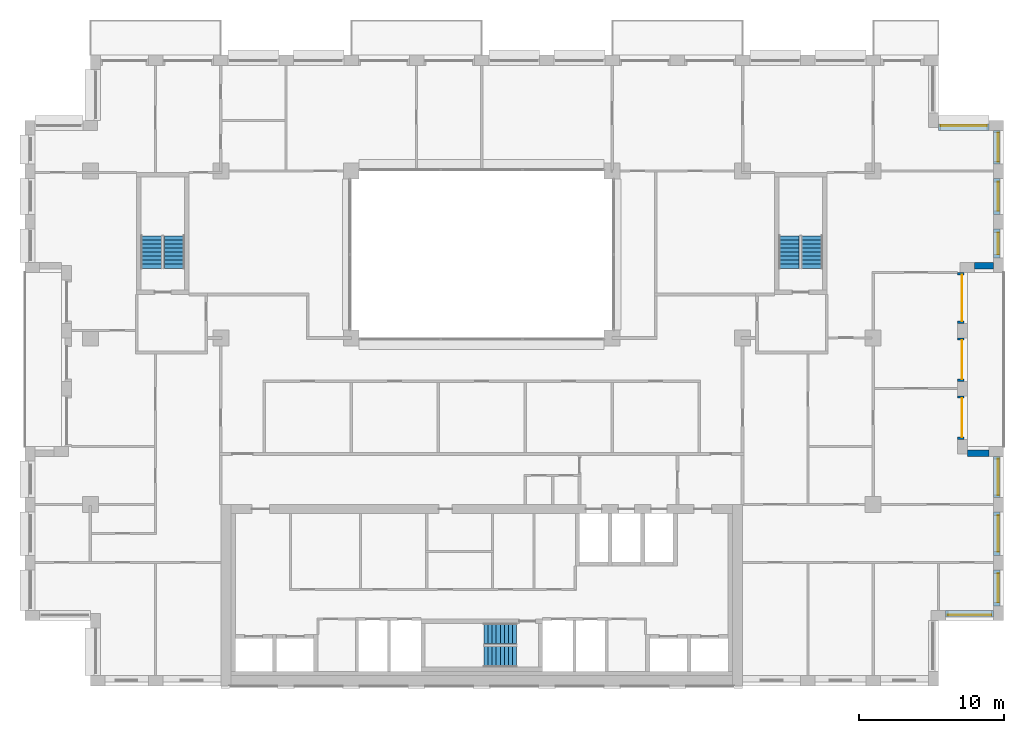
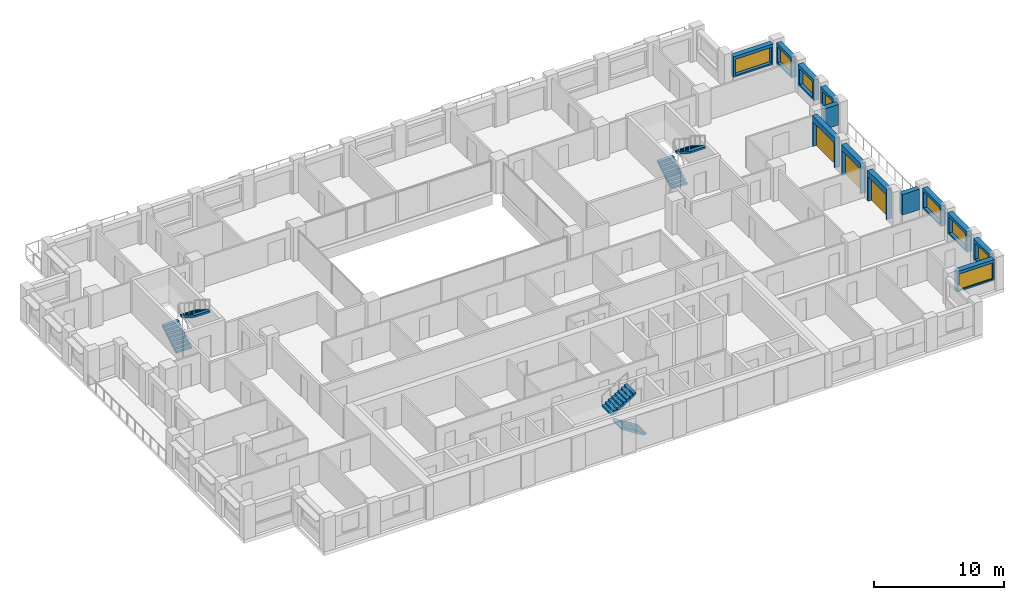
# One storey, part 14 of 15: 13 walls, 8 windows, 6 stair flights, 3 doors, 11 openings, 3 elements without a shape of their own.
"""IFC4 building model written with IfcOpenShell, lengths in metres."""

from ifc_helpers import new_model, si_unit, direction, frame, frame_2d, origin, place, context, subcontext, project, spatial, polyline, rectangle, outline, extrude, material, layer, layer_set, type_object, element, fill, aggregate, save


model = new_model("IFC4")

# Units and contexts
model_context = context("Model", 3, precision=1e-05, world=origin(), true_north=direction((0.0, 1.0)))
body_context = subcontext(model_context, "Body", "Model", "MODEL_VIEW")
ifc_project = project(units=[si_unit("LENGTHUNIT", "METRE"), si_unit("AREAUNIT", "SQUARE_METRE"), si_unit("VOLUMEUNIT", "CUBIC_METRE"), si_unit("PLANEANGLEUNIT", "RADIAN"), si_unit("MASSUNIT", "GRAM", prefix="KILO")], contexts=[model_context])

# Site, building, storey
site_placement = place(None, origin())
site = spatial("IfcSite", under=ifc_project, at=site_placement, CompositionType="ELEMENT")
building_placement = place(site_placement, origin())
building = spatial("IfcBuilding", under=site, at=building_placement, Name="Brigalow Station Residences", CompositionType="ELEMENT")
storey_placement = place(building_placement, frame((0.0, 0.0, 144.449951171875)))
storey = spatial("IfcBuildingStorey", under=building, at=storey_placement, Name="L41", CompositionType="ELEMENT", Elevation=144.449951171875)

# Wall, opening, window
ifc_material_1 = material(Name="Clay brick masonry", Category="masonry")
ifc_layer = layer(ifc_material_1, 0.449951171875)
ifc_layer_set = layer_set([ifc_layer], Name="BRICK INFILL WALL 450")
wall_type = type_object("IfcWallType", Name="BRICK INFILL WALL 450", PredefinedType="SOLIDWALL", material=ifc_layer_set)
wall_1_placement = place(storey_placement, frame((68.0, 4.97509765625, 0.900146484375), z_axis=(0.0, 0.0, 1.0), x_axis=(1.0, 0.0, 0.0)))
wall_1 = element("IfcWall", 1, at=wall_1_placement, inside=storey, type_object=wall_type, Name="L41/ewall/W-L41-8", PredefinedType="SOLIDWALL", context=body_context, shape_type="SweptSolid", body=[
    extrude(rectangle(XDim=3.300048828125, YDim=0.449951171875, at=frame_2d((1.64990234375, 0.0))), origin(), (0.0, 0.0, 1.0), 1.929931640625),
])
opening_1_placement = place(wall_1_placement, frame((0.14990234375, 0.0, 0.14990234375)))
opening_1 = element("IfcOpeningElement", 2, at=opening_1_placement, cuts=wall_1, Name="Opening WT-2", PredefinedType="OPENING", context=body_context, shape_type="SweptSolid", body=[
    extrude(rectangle(XDim=3.0, YDim=1.5, at=frame_2d((1.5, 0.75))), frame((0.0, 0.23486328125, 0.0), z_axis=(0.0, -1.0, 0.0), x_axis=(1.0, 0.0, 0.0)), (0.0, 0.0, 1.0), 0.469970703125),
])
ifc_material_2 = material(Name="Anodised aluminium frame with double glazing", Category="aluminium")
window_type_1 = type_object("IfcWindowType", Name="WINDOW 3000x1500", PartitioningType="SINGLE_PANEL", PredefinedType="WINDOW", material=ifc_material_2)
window_1_placement = place(opening_1_placement, origin())
window_1 = element("IfcWindow", 3, at=window_1_placement, inside=storey, type_object=window_type_1, Name="L41/window/W-L41-8", OverallHeight=1.5, OverallWidth=3.0, PartitioningType="SINGLE_PANEL", PredefinedType="WINDOW", context=body_context, shape_type="SweptSolid", body=[
    extrude(rectangle(XDim=3.0, YDim=1.5, at=frame_2d((1.5, 0.75))), frame((0.0, -0.06494140625, 0.0), z_axis=(0.0, -1.0, 0.0), x_axis=(1.0, 0.0, 0.0)), (0.0, 0.0, 1.0), 0.06005859375),
])
fill(opening_1, window_1)

wall_2_placement = place(storey_placement, frame((71.52490234375, 5.5, 0.900146484375), z_axis=(0.0, 0.0, 1.0), x_axis=(0.0, 1.0, 0.0)))
wall_2 = element("IfcWall", 4, at=wall_2_placement, inside=storey, type_object=wall_type, Name="L41/ewall/W-L41-9", PredefinedType="SOLIDWALL", context=body_context, shape_type="SweptSolid", body=[
    extrude(rectangle(XDim=2.5, YDim=0.449951171875, at=frame_2d((1.25, 0.0))), origin(), (0.0, 0.0, 1.0), 1.929931640625),
])
opening_2_placement = place(wall_2_placement, frame((0.25, 0.0, 0.14990234375)))
opening_2 = element("IfcOpeningElement", 5, at=opening_2_placement, cuts=wall_2, Name="Opening WT-7", PredefinedType="OPENING", context=body_context, shape_type="SweptSolid", body=[
    extrude(rectangle(XDim=2.0, YDim=1.5, at=frame_2d((1.0, 0.75))), frame((0.0, 0.23486328125, 0.0), z_axis=(0.0, -1.0, 0.0), x_axis=(1.0, 0.0, 0.0)), (0.0, 0.0, 1.0), 0.469970703125),
])
ifc_material_3 = material(Name="Anodised aluminium frame with double glazing", Category="aluminium")
window_type_2 = type_object("IfcWindowType", Name="WINDOW 2000x1500", PartitioningType="SINGLE_PANEL", PredefinedType="WINDOW", material=ifc_material_3)
window_2_placement = place(opening_2_placement, origin())
window_2 = element("IfcWindow", 6, at=window_2_placement, inside=storey, type_object=window_type_2, Name="L41/window/W-L41-9", OverallHeight=1.5, OverallWidth=2.0, PartitioningType="SINGLE_PANEL", PredefinedType="WINDOW", context=body_context, shape_type="SweptSolid", body=[
    extrude(rectangle(XDim=2.0, YDim=1.5, at=frame_2d((1.0, 0.75))), frame((0.0, -0.06494140625, 0.0), z_axis=(0.0, -1.0, 0.0), x_axis=(1.0, 0.0, 0.0)), (0.0, 0.0, 1.0), 0.06005859375),
])
fill(opening_2, window_2)

wall_3_placement = place(storey_placement, frame((71.52490234375, 9.0, 0.900146484375), z_axis=(0.0, 0.0, 1.0), x_axis=(0.0, 1.0, 0.0)))
wall_3 = element("IfcWall", 7, at=wall_3_placement, inside=storey, type_object=wall_type, Name="L41/ewall/W-L41-10", PredefinedType="SOLIDWALL", context=body_context, shape_type="SweptSolid", body=[
    extrude(rectangle(XDim=3.0, YDim=0.449951171875, at=frame_2d((1.5, 0.0))), origin(), (0.0, 0.0, 1.0), 1.929931640625),
])
opening_3_placement = place(wall_3_placement, frame((0.25, 0.0, 0.14990234375)))
opening_3 = element("IfcOpeningElement", 8, at=opening_3_placement, cuts=wall_3, Name="Opening WT-5", PredefinedType="OPENING", context=body_context, shape_type="SweptSolid", body=[
    extrude(rectangle(XDim=2.5, YDim=1.5, at=frame_2d((1.25, 0.75))), frame((0.0, 0.23486328125, 0.0), z_axis=(0.0, -1.0, 0.0), x_axis=(1.0, 0.0, 0.0)), (0.0, 0.0, 1.0), 0.469970703125),
])
ifc_material_4 = material(Name="Anodised aluminium frame with double glazing", Category="aluminium")
window_type_3 = type_object("IfcWindowType", Name="WINDOW 2500x1500", PartitioningType="SINGLE_PANEL", PredefinedType="WINDOW", material=ifc_material_4)
window_3_placement = place(opening_3_placement, origin())
window_3 = element("IfcWindow", 9, at=window_3_placement, inside=storey, type_object=window_type_3, Name="L41/window/W-L41-10", OverallHeight=1.5, OverallWidth=2.5, PartitioningType="SINGLE_PANEL", PredefinedType="WINDOW", context=body_context, shape_type="SweptSolid", body=[
    extrude(rectangle(XDim=2.5, YDim=1.5, at=frame_2d((1.25, 0.75))), frame((0.0, -0.06494140625, 0.0), z_axis=(0.0, -1.0, 0.0), x_axis=(1.0, 0.0, 0.0)), (0.0, 0.0, 1.0), 0.06005859375),
])
fill(opening_3, window_3)

wall_4_placement = place(storey_placement, frame((71.52490234375, 13.0, 0.900146484375), z_axis=(0.0, 0.0, 1.0), x_axis=(0.0, 1.0, 0.0)))
wall_4 = element("IfcWall", 10, at=wall_4_placement, inside=storey, type_object=wall_type, Name="L41/ewall/W-L41-11", PredefinedType="SOLIDWALL", context=body_context, shape_type="SweptSolid", body=[
    extrude(rectangle(XDim=2.800048828125, YDim=0.449951171875, at=frame_2d((1.39990234375, 0.0))), origin(), (0.0, 0.0, 1.0), 1.929931640625),
])
opening_4_placement = place(wall_4_placement, frame((0.14990234375, 0.0, 0.14990234375)))
opening_4 = element("IfcOpeningElement", 11, at=opening_4_placement, cuts=wall_4, Name="Opening WT-5", PredefinedType="OPENING", context=body_context, shape_type="SweptSolid", body=[
    extrude(rectangle(XDim=2.5, YDim=1.5, at=frame_2d((1.25, 0.75))), frame((0.0, 0.23486328125, 0.0), z_axis=(0.0, -1.0, 0.0), x_axis=(1.0, 0.0, 0.0)), (0.0, 0.0, 1.0), 0.469970703125),
])
window_4_placement = place(opening_4_placement, origin())
window_4 = element("IfcWindow", 12, at=window_4_placement, inside=storey, type_object=window_type_3, Name="L41/window/W-L41-11", OverallHeight=1.5, OverallWidth=2.5, PartitioningType="SINGLE_PANEL", PredefinedType="WINDOW", context=body_context, shape_type="SweptSolid", body=[
    extrude(rectangle(XDim=2.5, YDim=1.5, at=frame_2d((1.25, 0.75))), frame((0.0, -0.06494140625, 0.0), z_axis=(0.0, -1.0, 0.0), x_axis=(1.0, 0.0, 0.0)), (0.0, 0.0, 1.0), 0.06005859375),
])
fill(opening_4, window_4)

# Wall
wall_5_placement = place(storey_placement, frame((71.0, 16.02490234375, 0.900146484375), z_axis=(0.0, 0.0, 1.0), x_axis=(-1.0, 0.0, 0.0)))
element("IfcWall", 13, at=wall_5_placement, inside=storey, type_object=wall_type, Name="L41/ewall/W-L41-12", PredefinedType="SOLIDWALL", context=body_context, shape_type="SweptSolid", body=[
    extrude(rectangle(XDim=1.5, YDim=0.449951171875, at=frame_2d((0.75, 0.0))), origin(), (0.0, 0.0, 1.0), 1.929931640625),
])

# Wall, opening, door
wall_6_placement = place(storey_placement, frame((69.02490234375, 17.0, 0.0), z_axis=(0.0, 0.0, 1.0), x_axis=(0.0, 1.0, 0.0)))
wall_6 = element("IfcWall", 14, at=wall_6_placement, inside=storey, type_object=wall_type, Name="L41/ewall/W-L41-13", PredefinedType="SOLIDWALL", context=body_context, shape_type="SweptSolid", body=[
    extrude(rectangle(XDim=3.0, YDim=0.449951171875, at=frame_2d((1.5, 0.0))), origin(), (0.0, 0.0, 1.0), 2.830078125),
])
opening_5_placement = place(wall_6_placement, frame((0.14990234375, 0.0, 0.0)))
opening_5 = element("IfcOpeningElement", 15, at=opening_5_placement, cuts=wall_6, Name="Opening D-B2700", PredefinedType="OPENING", context=body_context, shape_type="SweptSolid", body=[
    extrude(rectangle(XDim=2.699951171875, YDim=2.300048828125, at=frame_2d((1.35009765625, 1.14990234375))), frame((0.0, 0.23486328125, 0.0), z_axis=(0.0, -1.0, 0.0), x_axis=(1.0, 0.0, 0.0)), (0.0, 0.0, 1.0), 0.469970703125),
])
ifc_material_5 = material(Name="Anodised aluminium frame with double glazing", Category="aluminium")
door_type_1 = type_object("IfcDoorType", Name="BALCONY SLIDING DOOR 2700x2300", OperationType="SLIDING_TO_LEFT", PredefinedType="DOOR", material=ifc_material_5)
door_1_placement = place(opening_5_placement, origin())
door_1 = element("IfcDoor", 16, at=door_1_placement, inside=storey, type_object=door_type_1, Name="L41/balcony-door/W-L41-13", OperationType="SLIDING_TO_LEFT", OverallHeight=2.300048828125, OverallWidth=2.699951171875, PredefinedType="DOOR", context=body_context, shape_type="SweptSolid", body=[
    extrude(rectangle(XDim=2.699951171875, YDim=2.300048828125, at=frame_2d((1.35009765625, 1.14990234375))), frame((0.0, -0.06982421875, 0.0), z_axis=(0.0, -1.0, 0.0), x_axis=(1.0, 0.0, 0.0)), (0.0, 0.0, 1.0), 0.050048828125),
])
fill(opening_5, door_1)

wall_7_placement = place(storey_placement, frame((69.02490234375, 21.0, 0.0), z_axis=(0.0, 0.0, 1.0), x_axis=(0.0, 1.0, 0.0)))
wall_7 = element("IfcWall", 17, at=wall_7_placement, inside=storey, type_object=wall_type, Name="L41/ewall/W-L41-14", PredefinedType="SOLIDWALL", context=body_context, shape_type="SweptSolid", body=[
    extrude(rectangle(XDim=3.0, YDim=0.449951171875, at=frame_2d((1.5, 0.0))), origin(), (0.0, 0.0, 1.0), 2.830078125),
])
opening_6_placement = place(wall_7_placement, frame((0.14990234375, 0.0, 0.0)))
opening_6 = element("IfcOpeningElement", 18, at=opening_6_placement, cuts=wall_7, Name="Opening D-B2700", PredefinedType="OPENING", context=body_context, shape_type="SweptSolid", body=[
    extrude(rectangle(XDim=2.699951171875, YDim=2.300048828125, at=frame_2d((1.35009765625, 1.14990234375))), frame((0.0, 0.23486328125, 0.0), z_axis=(0.0, -1.0, 0.0), x_axis=(1.0, 0.0, 0.0)), (0.0, 0.0, 1.0), 0.469970703125),
])
door_2_placement = place(opening_6_placement, origin())
door_2 = element("IfcDoor", 19, at=door_2_placement, inside=storey, type_object=door_type_1, Name="L41/balcony-door/W-L41-14", OperationType="SLIDING_TO_LEFT", OverallHeight=2.300048828125, OverallWidth=2.699951171875, PredefinedType="DOOR", context=body_context, shape_type="SweptSolid", body=[
    extrude(rectangle(XDim=2.699951171875, YDim=2.300048828125, at=frame_2d((1.35009765625, 1.14990234375))), frame((0.0, -0.06982421875, 0.0), z_axis=(0.0, -1.0, 0.0), x_axis=(1.0, 0.0, 0.0)), (0.0, 0.0, 1.0), 0.050048828125),
])
fill(opening_6, door_2)

wall_8_placement = place(storey_placement, frame((69.02490234375, 25.0, 0.0), z_axis=(0.0, 0.0, 1.0), x_axis=(0.0, 1.0, 0.0)))
wall_8 = element("IfcWall", 20, at=wall_8_placement, inside=storey, type_object=wall_type, Name="L41/ewall/W-L41-15", PredefinedType="SOLIDWALL", context=body_context, shape_type="SweptSolid", body=[
    extrude(rectangle(XDim=3.5, YDim=0.449951171875, at=frame_2d((1.75, 0.0))), origin(), (0.0, 0.0, 1.0), 2.830078125),
])
opening_7_placement = place(wall_8_placement, frame((0.14990234375, 0.0, 0.0)))
opening_7 = element("IfcOpeningElement", 21, at=opening_7_placement, cuts=wall_8, Name="Opening D-B3200", PredefinedType="OPENING", context=body_context, shape_type="SweptSolid", body=[
    extrude(rectangle(XDim=3.199951171875, YDim=2.300048828125, at=frame_2d((1.60009765625, 1.14990234375))), frame((0.0, 0.23486328125, 0.0), z_axis=(0.0, -1.0, 0.0), x_axis=(1.0, 0.0, 0.0)), (0.0, 0.0, 1.0), 0.469970703125),
])
ifc_material_6 = material(Name="Anodised aluminium frame with double glazing", Category="aluminium")
door_type_2 = type_object("IfcDoorType", Name="BALCONY SLIDING DOOR 3200x2300", OperationType="SLIDING_TO_LEFT", PredefinedType="DOOR", material=ifc_material_6)
door_3_placement = place(opening_7_placement, origin())
door_3 = element("IfcDoor", 22, at=door_3_placement, inside=storey, type_object=door_type_2, Name="L41/balcony-door/W-L41-15", OperationType="SLIDING_TO_LEFT", OverallHeight=2.300048828125, OverallWidth=3.199951171875, PredefinedType="DOOR", context=body_context, shape_type="SweptSolid", body=[
    extrude(rectangle(XDim=3.199951171875, YDim=2.300048828125, at=frame_2d((1.60009765625, 1.14990234375))), frame((0.0, -0.06982421875, 0.0), z_axis=(0.0, -1.0, 0.0), x_axis=(1.0, 0.0, 0.0)), (0.0, 0.0, 1.0), 0.050048828125),
])
fill(opening_7, door_3)

# Wall
wall_9_placement = place(storey_placement, frame((70.0, 28.97509765625, 0.900146484375), z_axis=(0.0, 0.0, 1.0), x_axis=(1.0, 0.0, 0.0)))
element("IfcWall", 23, at=wall_9_placement, inside=storey, type_object=wall_type, Name="L41/ewall/W-L41-16", PredefinedType="SOLIDWALL", context=body_context, shape_type="SweptSolid", body=[
    extrude(rectangle(XDim=1.300048828125, YDim=0.449951171875, at=frame_2d((0.64990234375, 0.0))), origin(), (0.0, 0.0, 1.0), 1.929931640625),
])

# Wall, opening, window
wall_10_placement = place(storey_placement, frame((71.52490234375, 29.5, 0.900146484375), z_axis=(0.0, 0.0, 1.0), x_axis=(0.0, 1.0, 0.0)))
wall_10 = element("IfcWall", 24, at=wall_10_placement, inside=storey, type_object=wall_type, Name="L41/ewall/W-L41-17", PredefinedType="SOLIDWALL", context=body_context, shape_type="SweptSolid", body=[
    extrude(rectangle(XDim=2.0, YDim=0.449951171875, at=frame_2d((1.0, 0.0))), origin(), (0.0, 0.0, 1.0), 1.929931640625),
])
opening_8_placement = place(wall_10_placement, frame((0.25, 0.0, 0.14990234375)))
opening_8 = element("IfcOpeningElement", 25, at=opening_8_placement, cuts=wall_10, Name="Opening WT-1", PredefinedType="OPENING", context=body_context, shape_type="SweptSolid", body=[
    extrude(rectangle(XDim=1.5, YDim=1.5, at=frame_2d((0.75, 0.75))), frame((0.0, 0.23486328125, 0.0), z_axis=(0.0, -1.0, 0.0), x_axis=(1.0, 0.0, 0.0)), (0.0, 0.0, 1.0), 0.469970703125),
])
ifc_material_7 = material(Name="Anodised aluminium frame with double glazing", Category="aluminium")
window_type_4 = type_object("IfcWindowType", Name="WINDOW 1500x1500", PartitioningType="SINGLE_PANEL", PredefinedType="WINDOW", material=ifc_material_7)
window_5_placement = place(opening_8_placement, origin())
window_5 = element("IfcWindow", 26, at=window_5_placement, inside=storey, type_object=window_type_4, Name="L41/window/W-L41-17", OverallHeight=1.5, OverallWidth=1.5, PartitioningType="SINGLE_PANEL", PredefinedType="WINDOW", context=body_context, shape_type="SweptSolid", body=[
    extrude(rectangle(XDim=1.5, YDim=1.5, at=frame_2d((0.75, 0.75))), frame((0.0, -0.06494140625, 0.0), z_axis=(0.0, -1.0, 0.0), x_axis=(1.0, 0.0, 0.0)), (0.0, 0.0, 1.0), 0.06005859375),
])
fill(opening_8, window_5)

wall_11_placement = place(storey_placement, frame((71.52490234375, 32.5, 0.900146484375), z_axis=(0.0, 0.0, 1.0), x_axis=(0.0, 1.0, 0.0)))
wall_11 = element("IfcWall", 27, at=wall_11_placement, inside=storey, type_object=wall_type, Name="L41/ewall/W-L41-18", PredefinedType="SOLIDWALL", context=body_context, shape_type="SweptSolid", body=[
    extrude(rectangle(XDim=2.5, YDim=0.449951171875, at=frame_2d((1.25, 0.0))), origin(), (0.0, 0.0, 1.0), 1.929931640625),
])
opening_9_placement = place(wall_11_placement, frame((0.25, 0.0, 0.14990234375)))
opening_9 = element("IfcOpeningElement", 28, at=opening_9_placement, cuts=wall_11, Name="Opening WT-7", PredefinedType="OPENING", context=body_context, shape_type="SweptSolid", body=[
    extrude(rectangle(XDim=2.0, YDim=1.5, at=frame_2d((1.0, 0.75))), frame((0.0, 0.23486328125, 0.0), z_axis=(0.0, -1.0, 0.0), x_axis=(1.0, 0.0, 0.0)), (0.0, 0.0, 1.0), 0.469970703125),
])
window_6_placement = place(opening_9_placement, origin())
window_6 = element("IfcWindow", 29, at=window_6_placement, inside=storey, type_object=window_type_2, Name="L41/window/W-L41-18", OverallHeight=1.5, OverallWidth=2.0, PartitioningType="SINGLE_PANEL", PredefinedType="WINDOW", context=body_context, shape_type="SweptSolid", body=[
    extrude(rectangle(XDim=2.0, YDim=1.5, at=frame_2d((1.0, 0.75))), frame((0.0, -0.06494140625, 0.0), z_axis=(0.0, -1.0, 0.0), x_axis=(1.0, 0.0, 0.0)), (0.0, 0.0, 1.0), 0.06005859375),
])
fill(opening_9, window_6)

wall_12_placement = place(storey_placement, frame((71.52490234375, 36.0, 0.900146484375), z_axis=(0.0, 0.0, 1.0), x_axis=(0.0, 1.0, 0.0)))
wall_12 = element("IfcWall", 30, at=wall_12_placement, inside=storey, type_object=wall_type, Name="L41/ewall/W-L41-19", PredefinedType="SOLIDWALL", context=body_context, shape_type="SweptSolid", body=[
    extrude(rectangle(XDim=2.300048828125, YDim=0.449951171875, at=frame_2d((1.14990234375, 0.0))), origin(), (0.0, 0.0, 1.0), 1.929931640625),
])
opening_10_placement = place(wall_12_placement, frame((0.14990234375, 0.0, 0.14990234375)))
opening_10 = element("IfcOpeningElement", 31, at=opening_10_placement, cuts=wall_12, Name="Opening WT-7", PredefinedType="OPENING", context=body_context, shape_type="SweptSolid", body=[
    extrude(rectangle(XDim=2.0, YDim=1.5, at=frame_2d((1.0, 0.75))), frame((0.0, 0.23486328125, 0.0), z_axis=(0.0, -1.0, 0.0), x_axis=(1.0, 0.0, 0.0)), (0.0, 0.0, 1.0), 0.469970703125),
])
window_7_placement = place(opening_10_placement, origin())
window_7 = element("IfcWindow", 32, at=window_7_placement, inside=storey, type_object=window_type_2, Name="L41/window/W-L41-19", OverallHeight=1.5, OverallWidth=2.0, PartitioningType="SINGLE_PANEL", PredefinedType="WINDOW", context=body_context, shape_type="SweptSolid", body=[
    extrude(rectangle(XDim=2.0, YDim=1.5, at=frame_2d((1.0, 0.75))), frame((0.0, -0.06494140625, 0.0), z_axis=(0.0, -1.0, 0.0), x_axis=(1.0, 0.0, 0.0)), (0.0, 0.0, 1.0), 0.06005859375),
])
fill(opening_10, window_7)

wall_13_placement = place(storey_placement, frame((71.0, 38.52490234375, 0.900146484375), z_axis=(0.0, 0.0, 1.0), x_axis=(-1.0, 0.0, 0.0)))
wall_13 = element("IfcWall", 33, at=wall_13_placement, inside=storey, type_object=wall_type, Name="L41/ewall/W-L41-20", PredefinedType="SOLIDWALL", context=body_context, shape_type="SweptSolid", body=[
    extrude(rectangle(XDim=3.5, YDim=0.449951171875, at=frame_2d((1.75, 0.0))), origin(), (0.0, 0.0, 1.0), 1.929931640625),
])
opening_11_placement = place(wall_13_placement, frame((0.14990234375, 0.0, 0.14990234375)))
opening_11 = element("IfcOpeningElement", 34, at=opening_11_placement, cuts=wall_13, Name="Opening WT-9", PredefinedType="OPENING", context=body_context, shape_type="SweptSolid", body=[
    extrude(rectangle(XDim=3.199951171875, YDim=1.5, at=frame_2d((1.60009765625, 0.75))), frame((0.0, 0.23486328125, 0.0), z_axis=(0.0, -1.0, 0.0), x_axis=(1.0, 0.0, 0.0)), (0.0, 0.0, 1.0), 0.469970703125),
])
ifc_material_8 = material(Name="Anodised aluminium frame with double glazing", Category="aluminium")
window_type_5 = type_object("IfcWindowType", Name="WINDOW 3200x1500", PartitioningType="SINGLE_PANEL", PredefinedType="WINDOW", material=ifc_material_8)
window_8_placement = place(opening_11_placement, origin())
window_8 = element("IfcWindow", 35, at=window_8_placement, inside=storey, type_object=window_type_5, Name="L41/window/W-L41-20", OverallHeight=1.5, OverallWidth=3.199951171875, PartitioningType="SINGLE_PANEL", PredefinedType="WINDOW", context=body_context, shape_type="SweptSolid", body=[
    extrude(rectangle(XDim=3.199951171875, YDim=1.5, at=frame_2d((1.60009765625, 0.75))), frame((0.0, -0.06494140625, 0.0), z_axis=(0.0, -1.0, 0.0), x_axis=(1.0, 0.0, 0.0)), (0.0, 0.0, 1.0), 0.06005859375),
])
fill(opening_11, window_8)

# Stair, stair flights
ifc_material_9 = material(Name="Concrete C50", Category="concrete")
stair_type = type_object("IfcStairType", Name="EXIT STAIR 1400 2 FLIGHT", PredefinedType="HALF_TURN_STAIR", material=ifc_material_9)
stair_1_placement = place(storey_placement, origin())
stair_1 = element("IfcStair", 36, at=stair_1_placement, inside=storey, type_object=stair_type, Name="EXIT STAIR S2 L41", PredefinedType="HALF_TURN_STAIR")
ifc_material_10 = material(Name="Concrete C50", Category="concrete")
stair_flight_type = type_object("IfcStairFlightType", Name="STAIR FLIGHT 1400", PredefinedType="STRAIGHT", material=ifc_material_10)
stair_flight_1_placement = place(storey_placement, frame((38.39990234375, 2.0, 0.0), z_axis=(0.0, 0.0, 1.0), x_axis=(-1.0, 0.0, 0.0)))
stair_flight_1 = element("IfcStairFlight", 37, at=stair_flight_1_placement, type_object=stair_flight_type, Name="ST-2 flight 1", NumberOfRisers=9, NumberOfTreads=8, PredefinedType="STRAIGHT", RiserHeight=0.175, TreadLength=0.28, context=body_context, shape_type="SweptSolid", body=[
    extrude(outline(polyline([(0.0, 0.0), (0.0, 0.175048828125), (0.280029296875, 0.175048828125), (0.280029296875, 0.35009765625), (0.56005859375, 0.35009765625), (0.56005859375, 0.52490234375), (0.840087890625, 0.52490234375), (0.840087890625, 0.699951171875), (1.1201171875, 0.699951171875), (1.1201171875, 0.875), (1.39990234375, 0.875), (1.39990234375, 1.050048828125), (1.679931640625, 1.050048828125), (1.679931640625, 1.22509765625), (1.9599609375, 1.22509765625), (1.9599609375, 1.39990234375), (2.239990234375, 1.39990234375), (2.239990234375, 1.574951171875), (2.239990234375, 1.22314453125), (0.28271484375, 0.0), (0.0, 0.0)])), frame((0.0, 0.699951171875, 0.0), z_axis=(0.0, -1.0, 0.0), x_axis=(1.0, 0.0, 0.0)), (0.0, 0.0, 1.0), 1.39990234375),
])
stair_flight_2_placement = place(storey_placement, frame((36.159912109375, 3.60009765625, 1.574951171875), z_axis=(0.0, 0.0, 1.0), x_axis=(1.0, 0.0, 0.0)))
stair_flight_2 = element("IfcStairFlight", 38, at=stair_flight_2_placement, type_object=stair_flight_type, Name="ST-2 flight 2", NumberOfRisers=9, NumberOfTreads=8, PredefinedType="STRAIGHT", RiserHeight=0.175, TreadLength=0.28, context=body_context, shape_type="SweptSolid", body=[
    extrude(outline(polyline([(0.0, 0.0), (0.0, 0.175048828125), (0.280029296875, 0.175048828125), (0.280029296875, 0.35009765625), (0.56005859375, 0.35009765625), (0.56005859375, 0.52490234375), (0.840087890625, 0.52490234375), (0.840087890625, 0.699951171875), (1.1201171875, 0.699951171875), (1.1201171875, 0.875), (1.39990234375, 0.875), (1.39990234375, 1.050048828125), (1.679931640625, 1.050048828125), (1.679931640625, 1.22509765625), (1.9599609375, 1.22509765625), (1.9599609375, 1.39990234375), (2.239990234375, 1.39990234375), (2.239990234375, 1.574951171875), (2.239990234375, 1.22314453125), (0.28271484375, 0.0), (0.0, 0.0)])), frame((0.0, 0.699951171875, 0.0), z_axis=(0.0, -1.0, 0.0), x_axis=(1.0, 0.0, 0.0)), (0.0, 0.0, 1.0), 1.39990234375),
])
aggregate(stair_1, [stair_flight_1, stair_flight_2])

stair_2_placement = place(storey_placement, origin())
stair_2 = element("IfcStair", 39, at=stair_2_placement, inside=storey, type_object=stair_type, Name="EXIT STAIR S1 L41", PredefinedType="HALF_TURN_STAIR")
stair_flight_3_placement = place(storey_placement, frame((13.199951171875, 28.800048828125, 0.0), z_axis=(0.0, 0.0, 1.0), x_axis=(0.0, 1.0, 0.0)))
stair_flight_3 = element("IfcStairFlight", 40, at=stair_flight_3_placement, type_object=stair_flight_type, Name="ST-1 flight 1", NumberOfRisers=9, NumberOfTreads=8, PredefinedType="STRAIGHT", RiserHeight=0.175, TreadLength=0.28, context=body_context, shape_type="SweptSolid", body=[
    extrude(outline(polyline([(0.0, 0.0), (0.0, 0.175048828125), (0.280029296875, 0.175048828125), (0.280029296875, 0.35009765625), (0.56005859375, 0.35009765625), (0.56005859375, 0.52490234375), (0.840087890625, 0.52490234375), (0.840087890625, 0.699951171875), (1.1201171875, 0.699951171875), (1.1201171875, 0.875), (1.39990234375, 0.875), (1.39990234375, 1.050048828125), (1.679931640625, 1.050048828125), (1.679931640625, 1.22509765625), (1.9599609375, 1.22509765625), (1.9599609375, 1.39990234375), (2.239990234375, 1.39990234375), (2.239990234375, 1.574951171875), (2.239990234375, 1.22314453125), (0.28271484375, 0.0), (0.0, 0.0)])), frame((0.0, 0.699951171875, 0.0), z_axis=(0.0, -1.0, 0.0), x_axis=(1.0, 0.0, 0.0)), (0.0, 0.0, 1.0), 1.39990234375),
])
stair_flight_4_placement = place(storey_placement, frame((14.800048828125, 31.0400390625, 1.574951171875), z_axis=(0.0, 0.0, 1.0), x_axis=(0.0, -1.0, 0.0)))
stair_flight_4 = element("IfcStairFlight", 41, at=stair_flight_4_placement, type_object=stair_flight_type, Name="ST-1 flight 2", NumberOfRisers=9, NumberOfTreads=8, PredefinedType="STRAIGHT", RiserHeight=0.175, TreadLength=0.28, context=body_context, shape_type="SweptSolid", body=[
    extrude(outline(polyline([(0.0, 0.0), (0.0, 0.175048828125), (0.280029296875, 0.175048828125), (0.280029296875, 0.35009765625), (0.56005859375, 0.35009765625), (0.56005859375, 0.52490234375), (0.840087890625, 0.52490234375), (0.840087890625, 0.699951171875), (1.1201171875, 0.699951171875), (1.1201171875, 0.875), (1.39990234375, 0.875), (1.39990234375, 1.050048828125), (1.679931640625, 1.050048828125), (1.679931640625, 1.22509765625), (1.9599609375, 1.22509765625), (1.9599609375, 1.39990234375), (2.239990234375, 1.39990234375), (2.239990234375, 1.574951171875), (2.239990234375, 1.22314453125), (0.28271484375, 0.0), (0.0, 0.0)])), frame((0.0, 0.699951171875, 0.0), z_axis=(0.0, -1.0, 0.0), x_axis=(1.0, 0.0, 0.0)), (0.0, 0.0, 1.0), 1.39990234375),
])
aggregate(stair_2, [stair_flight_3, stair_flight_4])

stair_3_placement = place(storey_placement, origin())
stair_3 = element("IfcStair", 42, at=stair_3_placement, inside=storey, type_object=stair_type, Name="EXIT STAIR S3 L41", PredefinedType="HALF_TURN_STAIR")
stair_flight_5_placement = place(storey_placement, frame((57.199951171875, 28.800048828125, 0.0), z_axis=(0.0, 0.0, 1.0), x_axis=(0.0, 1.0, 0.0)))
stair_flight_5 = element("IfcStairFlight", 43, at=stair_flight_5_placement, type_object=stair_flight_type, Name="ST-3 flight 1", NumberOfRisers=9, NumberOfTreads=8, PredefinedType="STRAIGHT", RiserHeight=0.175, TreadLength=0.28, context=body_context, shape_type="SweptSolid", body=[
    extrude(outline(polyline([(0.0, 0.0), (0.0, 0.175048828125), (0.280029296875, 0.175048828125), (0.280029296875, 0.35009765625), (0.56005859375, 0.35009765625), (0.56005859375, 0.52490234375), (0.840087890625, 0.52490234375), (0.840087890625, 0.699951171875), (1.1201171875, 0.699951171875), (1.1201171875, 0.875), (1.39990234375, 0.875), (1.39990234375, 1.050048828125), (1.679931640625, 1.050048828125), (1.679931640625, 1.22509765625), (1.9599609375, 1.22509765625), (1.9599609375, 1.39990234375), (2.239990234375, 1.39990234375), (2.239990234375, 1.574951171875), (2.239990234375, 1.22314453125), (0.28271484375, 0.0), (0.0, 0.0)])), frame((0.0, 0.699951171875, 0.0), z_axis=(0.0, -1.0, 0.0), x_axis=(1.0, 0.0, 0.0)), (0.0, 0.0, 1.0), 1.39990234375),
])
stair_flight_6_placement = place(storey_placement, frame((58.800048828125, 31.0400390625, 1.574951171875), z_axis=(0.0, 0.0, 1.0), x_axis=(0.0, -1.0, 0.0)))
stair_flight_6 = element("IfcStairFlight", 44, at=stair_flight_6_placement, type_object=stair_flight_type, Name="ST-3 flight 2", NumberOfRisers=9, NumberOfTreads=8, PredefinedType="STRAIGHT", RiserHeight=0.175, TreadLength=0.28, context=body_context, shape_type="SweptSolid", body=[
    extrude(outline(polyline([(0.0, 0.0), (0.0, 0.175048828125), (0.280029296875, 0.175048828125), (0.280029296875, 0.35009765625), (0.56005859375, 0.35009765625), (0.56005859375, 0.52490234375), (0.840087890625, 0.52490234375), (0.840087890625, 0.699951171875), (1.1201171875, 0.699951171875), (1.1201171875, 0.875), (1.39990234375, 0.875), (1.39990234375, 1.050048828125), (1.679931640625, 1.050048828125), (1.679931640625, 1.22509765625), (1.9599609375, 1.22509765625), (1.9599609375, 1.39990234375), (2.239990234375, 1.39990234375), (2.239990234375, 1.574951171875), (2.239990234375, 1.22314453125), (0.28271484375, 0.0), (0.0, 0.0)])), frame((0.0, 0.699951171875, 0.0), z_axis=(0.0, -1.0, 0.0), x_axis=(1.0, 0.0, 0.0)), (0.0, 0.0, 1.0), 1.39990234375),
])
aggregate(stair_3, [stair_flight_5, stair_flight_6])

save(model, "model.ifc")
